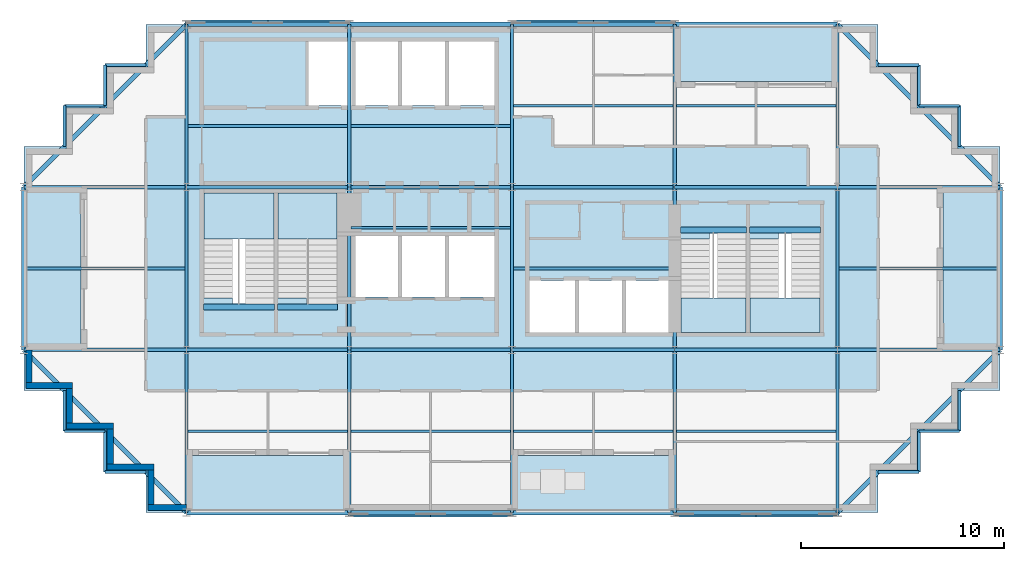
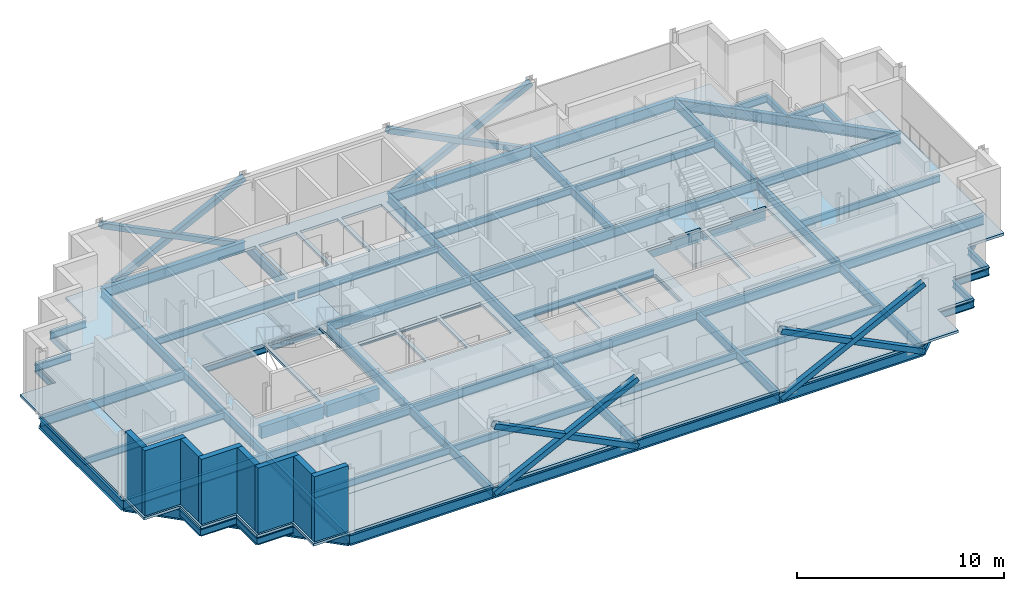
# One storey, part 3 of 10: 73 beams, 12 slabs, 8 members, 8 walls, 4 elements without a shape of their own.
"""IFC4 building model written with IfcOpenShell, lengths in metres."""

from ifc_helpers import new_model, si_unit, direction, frame, frame_2d, origin, origin_2d, place, context, subcontext, project, spatial, polyline, rectangle, hollow_rectangle, i_section, outline, extrude, material, layer, layer_set, material_profile, profile_set, type_object, element, aggregate, save


model = new_model("IFC4")

# Units and contexts
model_context = context("Model", 3, precision=1e-05, world=origin(), true_north=direction((0.0, 1.0)))
body_context = subcontext(model_context, "Body", "Model", "MODEL_VIEW")
ifc_project = project(units=[si_unit("LENGTHUNIT", "METRE"), si_unit("AREAUNIT", "SQUARE_METRE"), si_unit("VOLUMEUNIT", "CUBIC_METRE"), si_unit("PLANEANGLEUNIT", "RADIAN"), si_unit("MASSUNIT", "GRAM", prefix="KILO")], contexts=[model_context])

# Site, building, storey
site_placement = place(None, origin())
site = spatial("IfcSite", under=ifc_project, at=site_placement, CompositionType="ELEMENT")
building_placement = place(site_placement, origin())
building = spatial("IfcBuilding", under=site, at=building_placement, Name="Immortelle Media Tower", CompositionType="ELEMENT")
storey_placement = place(building_placement, frame((0.0, 0.0, 275.0)))
storey = spatial("IfcBuildingStorey", under=building, at=storey_placement, Name="L60", CompositionType="ELEMENT", Elevation=275.0)

# Members
ifc_material_1 = material(Name="Steel ASTM A500 Gr C", Category="steel")
ifc_material_profile_1 = material_profile(ifc_material_1, hollow_rectangle(XDim=0.304931640625, YDim=0.304931640625, WallThickness=0.009033203125, at=origin_2d()), Name="HSS12x12x3/8 brace")
ifc_profile_set_1 = profile_set([ifc_material_profile_1], Name="Steel ASTM A500 Gr C")
member_type = type_object("IfcMemberType", Name="HSS12x12x3/8 brace", PredefinedType="BRACE", material=ifc_profile_set_1)
for number, where, z_axis, x_axis, name in (
    (1, (16.0, -0.0625, -0.450927734375), (0.894427191, 0.0, 0.4472135955), (0.0, 1.0, 0.0), "Brace A/3-4 A"),
    (2, (16.0, -0.0625, 3.549072265625), (0.894427191, 0.0, -0.4472135955), (0.0, 1.0, 0.0), "Brace A/3-4 B"),
    (3, (32.0, -0.0625, -0.450927734375), (0.894427191, 0.0, 0.4472135955), (0.0, 1.0, 0.0), "Brace A/5-6 A"),
    (4, (32.0, -0.0625, 3.549072265625), (0.894427191, 0.0, -0.4472135955), (0.0, 1.0, 0.0), "Brace A/5-6 B"),
    (5, (32.0, 24.0625, -0.450927734375), (-0.894427191, 0.0, 0.4472135955), (0.0, -1.0, 0.0), "Brace D/4-5 A"),
    (6, (32.0, 24.0625, 3.549072265625), (-0.894427191, 0.0, -0.4472135955), (0.0, -1.0, 0.0), "Brace D/4-5 B"),
    (7, (16.0, 24.0625, -0.450927734375), (-0.894427191, 0.0, 0.4472135955), (0.0, -1.0, 0.0), "Brace D/2-3 A"),
    (8, (16.0, 24.0625, 3.549072265625), (-0.894427191, 0.0, -0.4472135955), (0.0, -1.0, 0.0), "Brace D/2-3 B"),
):
    element("IfcMember", number, at=place(storey_placement, frame(where, z_axis=z_axis, x_axis=x_axis)), inside=storey, type_object=member_type, Name=name, PredefinedType="BRACE", context=body_context, shape_type="SweptSolid", body=[
        extrude(hollow_rectangle(XDim=0.304931640625, YDim=0.304931640625, WallThickness=0.009033203125, at=origin_2d()), origin(), (0.0, 0.0, 1.0), 8.9443359375),
    ])

# Beams
ifc_material_2 = material(Name="Concrete C50/60", Category="concrete")
ifc_material_profile_2 = material_profile(ifc_material_2, rectangle(XDim=0.300048828125, YDim=0.699951171875, at=origin_2d()), Name="RC 300x700")
ifc_profile_set_2 = profile_set([ifc_material_profile_2], Name="Concrete C50/60")
beam_type_1 = type_object("IfcBeamType", Name="Stair trimmer beam 300 x 700", PredefinedType="BEAM", material=ifc_profile_set_2)
beam_1_placement = place(storey_placement, frame((8.830078125, 10.10498046875, -0.5), z_axis=(1.0, 0.0, 0.0), x_axis=(0.0, 1.0, 0.0)))
element("IfcBeam", 9, at=beam_1_placement, inside=storey, type_object=beam_type_1, Name="Stair trimmer beam SW1", PredefinedType="BEAM", context=body_context, shape_type="SweptSolid", body=[
    extrude(rectangle(XDim=0.300048828125, YDim=0.699951171875, at=origin_2d()), origin(), (0.0, 0.0, 1.0), 3.489990234375),
])
beam_2_placement = place(storey_placement, frame((12.47998046875, 10.10498046875, -0.5), z_axis=(1.0, 0.0, 0.0), x_axis=(0.0, 1.0, 0.0)))
element("IfcBeam", 10, at=beam_2_placement, inside=storey, type_object=beam_type_1, Name="Stair trimmer beam SW2", PredefinedType="BEAM", context=body_context, shape_type="SweptSolid", body=[
    extrude(rectangle(XDim=0.300048828125, YDim=0.699951171875, at=origin_2d()), origin(), (0.0, 0.0, 1.0), 2.93994140625),
])
beam_3_placement = place(storey_placement, frame((32.280029296875, 13.89501953125, -0.5), z_axis=(1.0, 0.0, 0.0), x_axis=(0.0, 1.0, 0.0)))
element("IfcBeam", 11, at=beam_3_placement, inside=storey, type_object=beam_type_1, Name="Stair trimmer beam SE1", PredefinedType="BEAM", context=body_context, shape_type="SweptSolid", body=[
    extrude(rectangle(XDim=0.300048828125, YDim=0.699951171875, at=origin_2d()), origin(), (0.0, 0.0, 1.0), 3.239990234375),
])
beam_4_placement = place(storey_placement, frame((35.679931640625, 13.89501953125, -0.5), z_axis=(1.0, 0.0, 0.0), x_axis=(0.0, 1.0, 0.0)))
element("IfcBeam", 12, at=beam_4_placement, inside=storey, type_object=beam_type_1, Name="Stair trimmer beam SE2", PredefinedType="BEAM", context=body_context, shape_type="SweptSolid", body=[
    extrude(rectangle(XDim=0.300048828125, YDim=0.699951171875, at=origin_2d()), origin(), (0.0, 0.0, 1.0), 3.489990234375),
])
ifc_material_3 = material(Name="Steel ASTM A992 Gr 50", Category="steel")
ifc_material_profile_3 = material_profile(ifc_material_3, i_section(OverallWidth=0.139892578125, OverallDepth=0.404052734375, WebThickness=0.007080078125, FlangeThickness=0.010986328125, at=origin_2d()), Name="W16x31")
ifc_profile_set_3 = profile_set([ifc_material_profile_3], Name="Steel ASTM A992 Gr 50")
beam_type_2 = type_object("IfcBeamType", Name="W16x31 secondary beam", PredefinedType="JOIST", material=ifc_profile_set_3)
for number, where, z_axis, x_axis, name in (
    (13, (8.08251953125, 4.0, -0.35205078125), (1.0, 0.0, 0.0), (0.0, 1.0, 0.0), "Beam A-B/2-3"),
    (14, (16.08251953125, 4.0, -0.35205078125), (1.0, 0.0, 0.0), (0.0, 1.0, 0.0), "Beam A-B/3-4"),
    (15, (24.08251953125, 4.0, -0.35205078125), (1.0, 0.0, 0.0), (0.0, 1.0, 0.0), "Beam A-B/4-5"),
    (16, (32.08251953125, 4.0, -0.35205078125), (1.0, 0.0, 0.0), (0.0, 1.0, 0.0), "Beam A-B/5-6"),
):
    element("IfcBeam", number, at=place(storey_placement, frame(where, z_axis=z_axis, x_axis=x_axis)), inside=storey, type_object=beam_type_2, Name=name, PredefinedType="JOIST", context=body_context, shape_type="SweptSolid", body=[
        extrude(i_section(OverallWidth=0.139892578125, OverallDepth=0.404052734375, WebThickness=0.007080078125, FlangeThickness=0.010986328125, at=origin_2d()), origin(), (0.0, 0.0, 1.0), 7.8349609375),
    ])
beam_5_placement = place(storey_placement, frame((0.114013671875, 12.0, -0.35205078125), z_axis=(1.0, 0.0, 0.0), x_axis=(0.0, 1.0, 0.0)))
element("IfcBeam", 17, at=beam_5_placement, inside=storey, type_object=beam_type_2, Name="Beam B-C/1-2", PredefinedType="JOIST", context=body_context, shape_type="SweptSolid", body=[
    extrude(i_section(OverallWidth=0.139892578125, OverallDepth=0.404052734375, WebThickness=0.007080078125, FlangeThickness=0.010986328125, at=origin_2d()), origin(), (0.0, 0.0, 1.0), 7.803466796875),
])
for number, where, z_axis, x_axis, name in (
    (18, (16.08251953125, 14.0, -0.35205078125), (1.0, 0.0, 0.0), (0.0, 1.0, 0.0), "Beam B-C/3-4"),
    (19, (24.08251953125, 12.0, -0.35205078125), (1.0, 0.0, 0.0), (0.0, 1.0, 0.0), "Beam B-C/4-5"),
):
    element("IfcBeam", number, at=place(storey_placement, frame(where, z_axis=z_axis, x_axis=x_axis)), inside=storey, type_object=beam_type_2, Name=name, PredefinedType="JOIST", context=body_context, shape_type="SweptSolid", body=[
        extrude(i_section(OverallWidth=0.139892578125, OverallDepth=0.404052734375, WebThickness=0.007080078125, FlangeThickness=0.010986328125, at=origin_2d()), origin(), (0.0, 0.0, 1.0), 7.8349609375),
    ])
beam_6_placement = place(storey_placement, frame((40.08251953125, 12.0, -0.35205078125), z_axis=(1.0, 0.0, 0.0), x_axis=(0.0, 1.0, 0.0)))
element("IfcBeam", 20, at=beam_6_placement, inside=storey, type_object=beam_type_2, Name="Beam B-C/6-7", PredefinedType="JOIST", context=body_context, shape_type="SweptSolid", body=[
    extrude(i_section(OverallWidth=0.139892578125, OverallDepth=0.404052734375, WebThickness=0.007080078125, FlangeThickness=0.010986328125, at=origin_2d()), origin(), (0.0, 0.0, 1.0), 7.803466796875),
])
for number, where, z_axis, x_axis, name in (
    (21, (8.08251953125, 19.0, -0.35205078125), (1.0, 0.0, 0.0), (0.0, 1.0, 0.0), "Beam C-D/2-3"),
    (22, (16.08251953125, 19.0, -0.35205078125), (1.0, 0.0, 0.0), (0.0, 1.0, 0.0), "Beam C-D/3-4"),
    (23, (24.08251953125, 20.0, -0.35205078125), (1.0, 0.0, 0.0), (0.0, 1.0, 0.0), "Beam C-D/4-5"),
    (24, (32.08251953125, 20.0, -0.35205078125), (1.0, 0.0, 0.0), (0.0, 1.0, 0.0), "Beam C-D/5-6"),
):
    element("IfcBeam", number, at=place(storey_placement, frame(where, z_axis=z_axis, x_axis=x_axis)), inside=storey, type_object=beam_type_2, Name=name, PredefinedType="JOIST", context=body_context, shape_type="SweptSolid", body=[
        extrude(i_section(OverallWidth=0.139892578125, OverallDepth=0.404052734375, WebThickness=0.007080078125, FlangeThickness=0.010986328125, at=origin_2d()), origin(), (0.0, 0.0, 1.0), 7.8349609375),
    ])
ifc_material_profile_4 = material_profile(ifc_material_3, i_section(OverallWidth=0.139892578125, OverallDepth=0.404052734375, WebThickness=0.007080078125, FlangeThickness=0.010986328125, at=origin_2d()), Name="W16x31")
ifc_profile_set_4 = profile_set([ifc_material_profile_4], Name="Steel ASTM A992 Gr 50")
beam_type_3 = type_object("IfcBeamType", Name="W16x31 serration edge beam", PredefinedType="SPANDREL", material=ifc_profile_set_4)
for number, where, z_axis, x_axis, name in (
    (25, (6.0, 2.0, -0.35205078125), (-1.0, 0.0, 0.0), (0.0, -1.0, 0.0), "Corner edge beam 1 at 1/A"),
    (26, (4.0, 2.0, -0.35205078125), (0.0, 1.0, 0.0), (-1.0, 0.0, 0.0), "Corner edge beam 2 at 1/A"),
    (27, (4.0, 4.0, -0.35205078125), (-1.0, 0.0, 0.0), (0.0, -1.0, 0.0), "Corner edge beam 3 at 1/A"),
    (28, (2.0, 4.0, -0.35205078125), (0.0, 1.0, 0.0), (-1.0, 0.0, 0.0), "Corner edge beam 4 at 1/A"),
    (29, (2.0, 18.0, -0.35205078125), (0.0, 1.0, 0.0), (-1.0, 0.0, 0.0), "Corner edge beam 1 at 1/D"),
    (30, (2.0, 20.0, -0.35205078125), (1.0, 0.0, 0.0), (0.0, 1.0, 0.0), "Corner edge beam 2 at 1/D"),
    (31, (4.0, 20.0, -0.35205078125), (0.0, 1.0, 0.0), (-1.0, 0.0, 0.0), "Corner edge beam 3 at 1/D"),
    (32, (4.0, 22.0, -0.35205078125), (1.0, 0.0, 0.0), (0.0, 1.0, 0.0), "Corner edge beam 4 at 1/D"),
    (33, (46.0, 6.0, -0.35205078125), (0.0, -1.0, 0.0), (1.0, 0.0, 0.0), "Corner edge beam 1 at 7/A"),
    (34, (46.0, 4.0, -0.35205078125), (-1.0, 0.0, 0.0), (0.0, -1.0, 0.0), "Corner edge beam 2 at 7/A"),
    (35, (44.0, 4.0, -0.35205078125), (0.0, -1.0, 0.0), (1.0, 0.0, 0.0), "Corner edge beam 3 at 7/A"),
    (36, (44.0, 2.0, -0.35205078125), (-1.0, 0.0, 0.0), (0.0, -1.0, 0.0), "Corner edge beam 4 at 7/A"),
    (37, (42.0, 22.0, -0.35205078125), (1.0, 0.0, 0.0), (0.0, 1.0, 0.0), "Corner edge beam 1 at 7/D"),
    (38, (44.0, 22.0, -0.35205078125), (0.0, -1.0, 0.0), (1.0, 0.0, 0.0), "Corner edge beam 2 at 7/D"),
    (39, (44.0, 20.0, -0.35205078125), (1.0, 0.0, 0.0), (0.0, 1.0, 0.0), "Corner edge beam 3 at 7/D"),
    (40, (46.0, 20.0, -0.35205078125), (0.0, -1.0, 0.0), (1.0, 0.0, 0.0), "Corner edge beam 4 at 7/D"),
):
    element("IfcBeam", number, at=place(storey_placement, frame(where, z_axis=z_axis, x_axis=x_axis)), inside=storey, type_object=beam_type_3, Name=name, PredefinedType="SPANDREL", context=body_context, shape_type="SweptSolid", body=[
        extrude(i_section(OverallWidth=0.139892578125, OverallDepth=0.404052734375, WebThickness=0.007080078125, FlangeThickness=0.010986328125, at=origin_2d()), origin(), (0.0, 0.0, 1.0), 2.0),
    ])
ifc_material_profile_5 = material_profile(ifc_material_3, i_section(OverallWidth=0.1650390625, OverallDepth=0.52587890625, WebThickness=0.009033203125, FlangeThickness=0.010986328125, at=origin_2d()), Name="W21x44")
ifc_profile_set_5 = profile_set([ifc_material_profile_5], Name="Steel ASTM A992 Gr 50")
beam_type_4 = type_object("IfcBeamType", Name="W21x44 girder", PredefinedType="BEAM", material=ifc_profile_set_5)
for number, where, z_axis, x_axis, name in (
    (41, (0.0, 8.0, -0.4130859375), (1.0, 0.0, 0.0), (0.0, 1.0, 0.0), "Girder B/1-2"),
    (42, (0.0, 16.0, -0.4130859375), (1.0, 0.0, 0.0), (0.0, 1.0, 0.0), "Girder C/1-2"),
    (43, (8.0, 0.0, -0.4130859375), (0.0, 1.0, 0.0), (-1.0, 0.0, 0.0), "Girder 2/A-B"),
    (44, (8.0, 8.0, -0.4130859375), (1.0, 0.0, 0.0), (0.0, 1.0, 0.0), "Girder B/2-3"),
    (45, (8.0, 8.0, -0.4130859375), (0.0, 1.0, 0.0), (-1.0, 0.0, 0.0), "Girder 2/B-C"),
    (46, (8.0, 16.0, -0.4130859375), (1.0, 0.0, 0.0), (0.0, 1.0, 0.0), "Girder C/2-3"),
    (47, (8.0, 16.0, -0.4130859375), (0.0, 1.0, 0.0), (-1.0, 0.0, 0.0), "Girder 2/C-D"),
    (48, (16.0, 0.0, -0.4130859375), (0.0, 1.0, 0.0), (-1.0, 0.0, 0.0), "Girder 3/A-B"),
    (49, (16.0, 8.0, -0.4130859375), (1.0, 0.0, 0.0), (0.0, 1.0, 0.0), "Girder B/3-4"),
    (50, (16.0, 8.0, -0.4130859375), (0.0, 1.0, 0.0), (-1.0, 0.0, 0.0), "Girder 3/B-C"),
    (51, (16.0, 16.0, -0.4130859375), (1.0, 0.0, 0.0), (0.0, 1.0, 0.0), "Girder C/3-4"),
    (52, (16.0, 16.0, -0.4130859375), (0.0, 1.0, 0.0), (-1.0, 0.0, 0.0), "Girder 3/C-D"),
    (53, (24.0, 0.0, -0.4130859375), (0.0, 1.0, 0.0), (-1.0, 0.0, 0.0), "Girder 4/A-B"),
    (54, (24.0, 8.0, -0.4130859375), (1.0, 0.0, 0.0), (0.0, 1.0, 0.0), "Girder B/4-5"),
    (55, (24.0, 8.0, -0.4130859375), (0.0, 1.0, 0.0), (-1.0, 0.0, 0.0), "Girder 4/B-C"),
    (56, (24.0, 16.0, -0.4130859375), (1.0, 0.0, 0.0), (0.0, 1.0, 0.0), "Girder C/4-5"),
    (57, (24.0, 16.0, -0.4130859375), (0.0, 1.0, 0.0), (-1.0, 0.0, 0.0), "Girder 4/C-D"),
    (58, (32.0, 0.0, -0.4130859375), (0.0, 1.0, 0.0), (-1.0, 0.0, 0.0), "Girder 5/A-B"),
    (59, (32.0, 8.0, -0.4130859375), (1.0, 0.0, 0.0), (0.0, 1.0, 0.0), "Girder B/5-6"),
    (60, (32.0, 8.0, -0.4130859375), (0.0, 1.0, 0.0), (-1.0, 0.0, 0.0), "Girder 5/B-C"),
    (61, (32.0, 16.0, -0.4130859375), (1.0, 0.0, 0.0), (0.0, 1.0, 0.0), "Girder C/5-6"),
    (62, (32.0, 16.0, -0.4130859375), (0.0, 1.0, 0.0), (-1.0, 0.0, 0.0), "Girder 5/C-D"),
    (63, (40.0, 0.0, -0.4130859375), (0.0, 1.0, 0.0), (-1.0, 0.0, 0.0), "Girder 6/A-B"),
    (64, (40.0, 8.0, -0.4130859375), (1.0, 0.0, 0.0), (0.0, 1.0, 0.0), "Girder B/6-7"),
    (65, (40.0, 8.0, -0.4130859375), (0.0, 1.0, 0.0), (-1.0, 0.0, 0.0), "Girder 6/B-C"),
    (66, (40.0, 16.0, -0.4130859375), (1.0, 0.0, 0.0), (0.0, 1.0, 0.0), "Girder C/6-7"),
    (67, (40.0, 16.0, -0.4130859375), (0.0, 1.0, 0.0), (-1.0, 0.0, 0.0), "Girder 6/C-D"),
):
    element("IfcBeam", number, at=place(storey_placement, frame(where, z_axis=z_axis, x_axis=x_axis)), inside=storey, type_object=beam_type_4, Name=name, PredefinedType="BEAM", context=body_context, shape_type="SweptSolid", body=[
        extrude(i_section(OverallWidth=0.1650390625, OverallDepth=0.52587890625, WebThickness=0.009033203125, FlangeThickness=0.010986328125, at=origin_2d()), origin(), (0.0, 0.0, 1.0), 8.0),
    ])
ifc_material_profile_6 = material_profile(ifc_material_3, i_section(OverallWidth=0.22802734375, OverallDepth=0.60205078125, WebThickness=0.010986328125, FlangeThickness=0.014892578125, at=origin_2d()), Name="W24x68")
ifc_profile_set_6 = profile_set([ifc_material_profile_6], Name="Steel ASTM A992 Gr 50")
beam_type_5 = type_object("IfcBeamType", Name="W24x68 perimeter girder", PredefinedType="SPANDREL", material=ifc_profile_set_6)
for number, where, z_axis, x_axis, name in (
    (68, (0.0, 8.0, -0.450927734375), (0.0, 1.0, 0.0), (-1.0, 0.0, 0.0), "Girder 1/B-C"),
    (69, (8.0, 0.0, -0.450927734375), (1.0, 0.0, 0.0), (0.0, 1.0, 0.0), "Girder A/2-3"),
    (70, (8.0, 24.0, -0.450927734375), (1.0, 0.0, 0.0), (0.0, 1.0, 0.0), "Girder D/2-3"),
    (71, (16.0, 0.0, -0.450927734375), (1.0, 0.0, 0.0), (0.0, 1.0, 0.0), "Girder A/3-4"),
    (72, (16.0, 24.0, -0.450927734375), (1.0, 0.0, 0.0), (0.0, 1.0, 0.0), "Girder D/3-4"),
    (73, (24.0, 0.0, -0.450927734375), (1.0, 0.0, 0.0), (0.0, 1.0, 0.0), "Girder A/4-5"),
    (74, (24.0, 24.0, -0.450927734375), (1.0, 0.0, 0.0), (0.0, 1.0, 0.0), "Girder D/4-5"),
    (75, (32.0, 0.0, -0.450927734375), (1.0, 0.0, 0.0), (0.0, 1.0, 0.0), "Girder A/5-6"),
    (76, (32.0, 24.0, -0.450927734375), (1.0, 0.0, 0.0), (0.0, 1.0, 0.0), "Girder D/5-6"),
    (77, (48.0, 8.0, -0.450927734375), (0.0, 1.0, 0.0), (-1.0, 0.0, 0.0), "Girder 7/B-C"),
):
    element("IfcBeam", number, at=place(storey_placement, frame(where, z_axis=z_axis, x_axis=x_axis)), inside=storey, type_object=beam_type_5, Name=name, PredefinedType="SPANDREL", context=body_context, shape_type="SweptSolid", body=[
        extrude(i_section(OverallWidth=0.22802734375, OverallDepth=0.60205078125, WebThickness=0.010986328125, FlangeThickness=0.014892578125, at=origin_2d()), origin(), (0.0, 0.0, 1.0), 8.0),
    ])
ifc_material_profile_7 = material_profile(ifc_material_3, i_section(OverallWidth=0.22900390625, OverallDepth=0.612060546875, WebThickness=0.011962890625, FlangeThickness=0.02001953125, at=origin_2d()), Name="W24x84")
ifc_profile_set_7 = profile_set([ifc_material_profile_7], Name="Steel ASTM A992 Gr 50")
beam_type_6 = type_object("IfcBeamType", Name="W24x84 corner girder", PredefinedType="SPANDREL", material=ifc_profile_set_7)
for number, where, z_axis, x_axis, name in (
    (78, (8.0, 0.0, -0.4560546875), (-0.707106781187, 0.707106781187, 0.0), (-0.707106781187, -0.707106781187, 0.0), "Corner girder at 1/A"),
    (79, (0.0, 16.0, -0.4560546875), (0.707106781187, 0.707106781187, 0.0), (-0.707106781187, 0.707106781187, 0.0), "Corner girder at 1/D"),
    (80, (48.0, 8.0, -0.4560546875), (-0.707106781187, -0.707106781187, 0.0), (0.707106781187, -0.707106781187, 0.0), "Corner girder at 7/A"),
    (81, (40.0, 24.0, -0.4560546875), (0.707106781187, -0.707106781187, 0.0), (0.707106781187, 0.707106781187, 0.0), "Corner girder at 7/D"),
):
    element("IfcBeam", number, at=place(storey_placement, frame(where, z_axis=z_axis, x_axis=x_axis)), inside=storey, type_object=beam_type_6, Name=name, PredefinedType="SPANDREL", context=body_context, shape_type="SweptSolid", body=[
        extrude(i_section(OverallWidth=0.22900390625, OverallDepth=0.612060546875, WebThickness=0.011962890625, FlangeThickness=0.02001953125, at=origin_2d()), origin(), (0.0, 0.0, 1.0), 11.313720703125),
    ])

# Slabs
ifc_material_4 = material(Name="Concrete C50/60 composite deck", Category="concrete")
ifc_layer_1 = layer(ifc_material_4, 0.14990234375)
ifc_layer_set_1 = layer_set([ifc_layer_1], Name="Concrete C50/60 composite deck")
slab_type_1 = type_object("IfcSlabType", Name="Balcony slab 150", PredefinedType="FLOOR", material=ifc_layer_set_1)
slab_1_placement = place(storey_placement, frame((0.0, 0.0, -0.14990234375)))
element("IfcSlab", 82, at=slab_1_placement, inside=storey, type_object=slab_type_1, Name="Balcony slab L60 S0", PredefinedType="FLOOR", context=body_context, shape_type="SweptSolid", body=[
    extrude(outline(polyline([(16.0, 0.0), (16.0, 2.800048828125), (8.0, 2.800048828125), (8.0, 0.0), (16.0, 0.0)])), origin(), (0.0, 0.0, 1.0), 0.14990234375),
])
slab_2_placement = place(storey_placement, frame((0.0, 0.0, -0.14990234375)))
element("IfcSlab", 83, at=slab_2_placement, inside=storey, type_object=slab_type_1, Name="Balcony slab L60 S2", PredefinedType="FLOOR", context=body_context, shape_type="SweptSolid", body=[
    extrude(outline(polyline([(32.0, 0.0), (32.0, 2.800048828125), (24.0, 2.800048828125), (24.0, 0.0), (32.0, 0.0)])), origin(), (0.0, 0.0, 1.0), 0.14990234375),
])
slab_3_placement = place(storey_placement, frame((0.0, 0.0, -0.14990234375)))
element("IfcSlab", 84, at=slab_3_placement, inside=storey, type_object=slab_type_1, Name="Balcony slab L60 E0", PredefinedType="FLOOR", context=body_context, shape_type="SweptSolid", body=[
    extrude(outline(polyline([(48.0, 8.0), (48.0, 16.0), (45.199951171875, 16.0), (45.199951171875, 8.0), (48.0, 8.0)])), origin(), (0.0, 0.0, 1.0), 0.14990234375),
])
slab_4_placement = place(storey_placement, frame((0.0, 0.0, -0.14990234375)))
element("IfcSlab", 85, at=slab_4_placement, inside=storey, type_object=slab_type_1, Name="Balcony slab L60 N0", PredefinedType="FLOOR", context=body_context, shape_type="SweptSolid", body=[
    extrude(outline(polyline([(40.0, 21.199951171875), (40.0, 24.0), (32.0, 24.0), (32.0, 21.199951171875), (40.0, 21.199951171875)])), origin(), (0.0, 0.0, 1.0), 0.14990234375),
])
slab_5_placement = place(storey_placement, frame((0.0, 0.0, -0.14990234375)))
element("IfcSlab", 86, at=slab_5_placement, inside=storey, type_object=slab_type_1, Name="Balcony slab L60 W0", PredefinedType="FLOOR", context=body_context, shape_type="SweptSolid", body=[
    extrude(outline(polyline([(2.800048828125, 8.0), (2.800048828125, 16.0), (0.0, 16.0), (0.0, 8.0), (2.800048828125, 8.0)])), origin(), (0.0, 0.0, 1.0), 0.14990234375),
])
ifc_layer_2 = layer(ifc_material_2, 0.14990234375)
ifc_layer_set_2 = layer_set([ifc_layer_2], Name="Concrete C50/60")
slab_type_2 = type_object("IfcSlabType", Name="Composite floor slab 150", PredefinedType="FLOOR", material=ifc_layer_set_2)
slab_6_placement = place(storey_placement, frame((0.0, 0.0, -0.14990234375)))
element("IfcSlab", 87, at=slab_6_placement, inside=storey, type_object=slab_type_2, Name="Floor slab L60", PredefinedType="FLOOR", context=body_context, shape_type="SweptSolid", body=[
    extrude(outline(polyline([(6.0, 0.0), (6.0, 2.0), (4.0, 2.0), (4.0, 4.0), (2.0, 4.0), (2.0, 6.0), (0.0, 6.0), (0.0, 8.0), (2.800048828125, 8.0), (2.800048828125, 16.0), (0.0, 16.0), (0.0, 18.0), (2.0, 18.0), (2.0, 20.0), (4.0, 20.0), (4.0, 22.0), (6.0, 22.0), (6.0, 24.0), (8.0, 24.0), (8.0, 8.0), (24.0, 8.0), (40.0, 8.0), (40.0, 16.0), (24.0, 16.0), (24.0, 21.199951171875), (24.0, 24.0), (32.0, 24.0), (32.0, 21.199951171875), (40.0, 21.199951171875), (40.0, 24.0), (42.0, 24.0), (42.0, 22.0), (44.0, 22.0), (44.0, 20.0), (46.0, 20.0), (46.0, 18.0), (48.0, 18.0), (48.0, 16.0), (45.199951171875, 16.0), (45.199951171875, 8.0), (48.0, 8.0), (48.0, 6.0), (46.0, 6.0), (46.0, 4.0), (44.0, 4.0), (44.0, 2.0), (42.0, 2.0), (42.0, 0.0), (32.0, 0.0), (32.0, 2.800048828125), (24.0, 2.800048828125), (24.0, 0.0), (16.0, 0.0), (16.0, 2.800048828125), (8.0, 2.800048828125), (8.0, 0.0), (6.0, 0.0)])), origin(), (0.0, 0.0, 1.0), 0.14990234375),
])
ifc_layer_3 = layer(ifc_material_2, 0.14990234375)
ifc_layer_set_3 = layer_set([ifc_layer_3], Name="Concrete C50/60")
slab_type_3 = type_object("IfcSlabType", Name="Core floor slab 150", PredefinedType="FLOOR", material=ifc_layer_set_3)
slab_7_placement = place(storey_placement, frame((0.0, 0.0, -0.14990234375)))
element("IfcSlab", 88, at=slab_7_placement, inside=storey, type_object=slab_type_3, Name="Core floor SW", PredefinedType="FLOOR", context=body_context, shape_type="SweptSolid", body=[
    extrude(outline(polyline([(8.0, 8.0), (24.0, 8.0), (24.0, 24.0), (8.0, 24.0), (8.0, 8.0)]), holes=[polyline([(14.0, 20.0), (16.10009765625, 20.0), (16.10009765625, 23.14990234375), (14.0, 23.14990234375), (14.0, 20.0)]), polyline([(16.300048828125, 20.0), (18.39990234375, 20.0), (18.39990234375, 23.14990234375), (16.300048828125, 23.14990234375), (16.300048828125, 20.0)]), polyline([(18.60009765625, 20.0), (20.699951171875, 20.0), (20.699951171875, 23.14990234375), (18.60009765625, 23.14990234375), (18.60009765625, 20.0)]), polyline([(20.89990234375, 20.0), (23.14990234375, 20.0), (23.14990234375, 23.14990234375), (20.89990234375, 23.14990234375), (20.89990234375, 20.0)]), polyline([(16.300048828125, 10.60009765625), (18.39990234375, 10.60009765625), (18.39990234375, 13.60009765625), (16.300048828125, 13.60009765625), (16.300048828125, 10.60009765625)]), polyline([(18.60009765625, 10.60009765625), (20.699951171875, 10.60009765625), (20.699951171875, 13.60009765625), (18.60009765625, 13.60009765625), (18.60009765625, 10.60009765625)]), polyline([(20.89990234375, 10.60009765625), (23.14990234375, 10.60009765625), (23.14990234375, 13.60009765625), (20.89990234375, 13.60009765625), (20.89990234375, 10.60009765625)]), polyline([(8.85009765625, 15.699951171875), (12.300048828125, 15.699951171875), (12.300048828125, 10.27001953125), (10.25, 10.27001953125), (10.25, 10.56005859375), (8.85009765625, 10.56005859375), (8.85009765625, 15.699951171875)]), polyline([(12.5, 15.699951171875), (15.39990234375, 15.699951171875), (15.39990234375, 10.27001953125), (13.89990234375, 10.27001953125), (13.89990234375, 10.56005859375), (12.5, 10.56005859375), (12.5, 15.699951171875)])]), origin(), (0.0, 0.0, 1.0), 0.14990234375),
])
slab_8_placement = place(storey_placement, frame((0.0, 0.0, -0.14990234375)))
element("IfcSlab", 89, at=slab_8_placement, inside=storey, type_object=slab_type_3, Name="Core floor SE", PredefinedType="FLOOR", context=body_context, shape_type="SweptSolid", body=[
    extrude(outline(polyline([(24.0, 8.0), (40.0, 8.0), (40.0, 16.0), (24.0, 16.0), (24.0, 8.0)]), holes=[polyline([(24.85009765625, 8.85009765625), (27.10009765625, 8.85009765625), (27.10009765625, 11.39990234375), (24.85009765625, 11.39990234375), (24.85009765625, 8.85009765625)]), polyline([(27.300048828125, 8.85009765625), (29.39990234375, 8.85009765625), (29.39990234375, 11.39990234375), (27.300048828125, 11.39990234375), (27.300048828125, 8.85009765625)]), polyline([(29.60009765625, 8.85009765625), (31.699951171875, 8.85009765625), (31.699951171875, 11.39990234375), (29.60009765625, 11.39990234375), (29.60009765625, 8.85009765625)]), polyline([(35.5, 13.72998046875), (35.5, 8.85009765625), (32.300048828125, 8.85009765625), (32.300048828125, 13.43994140625), (33.699951171875, 13.43994140625), (33.699951171875, 13.72998046875), (35.5, 13.72998046875)]), polyline([(39.14990234375, 13.72998046875), (39.14990234375, 8.85009765625), (35.699951171875, 8.85009765625), (35.699951171875, 13.43994140625), (37.10009765625, 13.43994140625), (37.10009765625, 13.72998046875), (39.14990234375, 13.72998046875)])]), origin(), (0.0, 0.0, 1.0), 0.14990234375),
])

# Stair, slab
stair_type = type_object("IfcStairType", Name="Stair with flights", PredefinedType="DOUBLE_RETURN_STAIR", material=ifc_material_3)
stair_1_placement = place(storey_placement, origin())
stair_1 = element("IfcStair", 90, at=stair_1_placement, inside=storey, type_object=stair_type, Name="Exit stair SW1", PredefinedType="DOUBLE_RETURN_STAIR")
ifc_material_5 = material(Name="Steel ASTM A572 Gr 50", Category="steel")
ifc_layer_4 = layer(ifc_material_5, 0.199951171875)
ifc_layer_set_4 = layer_set([ifc_layer_4], Name="Steel ASTM A572 Gr 50")
slab_type_4 = type_object("IfcSlabType", Name="Stair landing 200", PredefinedType="LANDING", material=ifc_layer_set_4)
slab_9_placement = place(storey_placement, frame((0.0, 0.0, 1.713134765625)))
slab_9 = element("IfcSlab", 91, at=slab_9_placement, type_object=slab_type_4, Name="ST SW1 landing 1", PredefinedType="LANDING", context=body_context, shape_type="SweptSolid", body=[
    extrude(outline(polyline([(8.85009765625, 13.43994140625), (12.300048828125, 13.43994140625), (12.300048828125, 15.699951171875), (8.85009765625, 15.699951171875), (8.85009765625, 13.43994140625)])), origin(), (0.0, 0.0, 1.0), 0.199951171875),
])
aggregate(stair_1, [slab_9])

stair_2_placement = place(storey_placement, origin())
stair_2 = element("IfcStair", 92, at=stair_2_placement, inside=storey, type_object=stair_type, Name="Exit stair SW2", PredefinedType="DOUBLE_RETURN_STAIR")
slab_10_placement = place(storey_placement, frame((0.0, 0.0, 1.713134765625)))
slab_10 = element("IfcSlab", 93, at=slab_10_placement, type_object=slab_type_4, Name="ST SW2 landing 1", PredefinedType="LANDING", context=body_context, shape_type="SweptSolid", body=[
    extrude(outline(polyline([(12.5, 13.43994140625), (15.39990234375, 13.43994140625), (15.39990234375, 15.699951171875), (12.5, 15.699951171875), (12.5, 13.43994140625)])), origin(), (0.0, 0.0, 1.0), 0.199951171875),
])
aggregate(stair_2, [slab_10])

stair_3_placement = place(storey_placement, origin())
stair_3 = element("IfcStair", 94, at=stair_3_placement, inside=storey, type_object=stair_type, Name="Exit stair SE1", PredefinedType="DOUBLE_RETURN_STAIR")
slab_11_placement = place(storey_placement, frame((0.0, 0.0, 1.713134765625)))
slab_11 = element("IfcSlab", 95, at=slab_11_placement, type_object=slab_type_4, Name="ST SE1 landing 1", PredefinedType="LANDING", context=body_context, shape_type="SweptSolid", body=[
    extrude(outline(polyline([(32.300048828125, 8.85009765625), (35.5, 8.85009765625), (35.5, 10.56005859375), (32.300048828125, 10.56005859375), (32.300048828125, 8.85009765625)])), origin(), (0.0, 0.0, 1.0), 0.199951171875),
])
aggregate(stair_3, [slab_11])

stair_4_placement = place(storey_placement, origin())
stair_4 = element("IfcStair", 96, at=stair_4_placement, inside=storey, type_object=stair_type, Name="Exit stair SE2", PredefinedType="DOUBLE_RETURN_STAIR")
slab_12_placement = place(storey_placement, frame((0.0, 0.0, 1.713134765625)))
slab_12 = element("IfcSlab", 97, at=slab_12_placement, type_object=slab_type_4, Name="ST SE2 landing 1", PredefinedType="LANDING", context=body_context, shape_type="SweptSolid", body=[
    extrude(outline(polyline([(35.699951171875, 8.85009765625), (39.14990234375, 8.85009765625), (39.14990234375, 10.56005859375), (35.699951171875, 10.56005859375), (35.699951171875, 8.85009765625)])), origin(), (0.0, 0.0, 1.0), 0.199951171875),
])
aggregate(stair_4, [slab_12])

# Walls
ifc_material_6 = material(Name="Pale aluminium cladding panel", Category="aluminium")
ifc_layer_5 = layer(ifc_material_6, 0.030029296875)
ifc_material_7 = material(Name="Steel ASTM A653 SS Gr 50 stud frame with mineral wool", Category="steel")
ifc_layer_6 = layer(ifc_material_7, 0.257568359375)
ifc_material_8 = material(Name="Moisture-resistant gypsum board", Category="gypsum")
ifc_layer_7 = layer(ifc_material_8, 0.012451171875)
ifc_layer_set_5 = layer_set([ifc_layer_5, ifc_layer_6, ifc_layer_7], Name="Steel ASTM A653 SS Gr 50 stud frame with mineral wool")
wall_type = type_object("IfcWallType", Name="Facade wall 300", PredefinedType="SOLIDWALL", material=ifc_layer_set_5)
wall_1_placement = place(storey_placement, frame((0.10009765625, 6.25, 0.0), z_axis=(0.0, 0.0, 1.0), x_axis=(1.0, 0.0, 0.0)))
element("IfcWall", 98, at=wall_1_placement, inside=storey, type_object=wall_type, Name="Facade wall L60 S0", PredefinedType="SOLIDWALL", context=body_context, shape_type="SweptSolid", body=[
    extrude(rectangle(XDim=2.2998046875, YDim=0.300048828125, at=frame_2d((1.14990234375, 0.0))), origin(), (0.0, 0.0, 1.0), 3.85009765625),
])
wall_2_placement = place(storey_placement, frame((2.25, 6.10009765625, 0.0), z_axis=(0.0, 0.0, 1.0), x_axis=(0.0, -1.0, 0.0)))
element("IfcWall", 99, at=wall_2_placement, inside=storey, type_object=wall_type, Name="Facade wall L60 W1", PredefinedType="SOLIDWALL", context=body_context, shape_type="SweptSolid", body=[
    extrude(rectangle(XDim=1.7001953125, YDim=0.300048828125, at=frame_2d((0.85009765625, 0.0))), origin(), (0.0, 0.0, 1.0), 3.85009765625),
])
wall_3_placement = place(storey_placement, frame((2.10009765625, 4.25, 0.0), z_axis=(0.0, 0.0, 1.0), x_axis=(1.0, 0.0, 0.0)))
element("IfcWall", 100, at=wall_3_placement, inside=storey, type_object=wall_type, Name="Facade wall L60 S2", PredefinedType="SOLIDWALL", context=body_context, shape_type="SweptSolid", body=[
    extrude(rectangle(XDim=2.2998046875, YDim=0.300048828125, at=frame_2d((1.14990234375, 0.0))), origin(), (0.0, 0.0, 1.0), 3.85009765625),
])
wall_4_placement = place(storey_placement, frame((4.25, 4.10009765625, 0.0), z_axis=(0.0, 0.0, 1.0), x_axis=(0.0, -1.0, 0.0)))
element("IfcWall", 101, at=wall_4_placement, inside=storey, type_object=wall_type, Name="Facade wall L60 W3", PredefinedType="SOLIDWALL", context=body_context, shape_type="SweptSolid", body=[
    extrude(rectangle(XDim=1.7001953125, YDim=0.300048828125, at=frame_2d((0.85009765625, 0.0))), origin(), (0.0, 0.0, 1.0), 3.85009765625),
])
wall_5_placement = place(storey_placement, frame((4.10009765625, 2.25, 0.0), z_axis=(0.0, 0.0, 1.0), x_axis=(1.0, 0.0, 0.0)))
element("IfcWall", 102, at=wall_5_placement, inside=storey, type_object=wall_type, Name="Facade wall L60 S4", PredefinedType="SOLIDWALL", context=body_context, shape_type="SweptSolid", body=[
    extrude(rectangle(XDim=2.2998046875, YDim=0.300048828125, at=frame_2d((1.14990234375, 0.0))), origin(), (0.0, 0.0, 1.0), 3.85009765625),
])
wall_6_placement = place(storey_placement, frame((6.25, 2.10009765625, 0.0), z_axis=(0.0, 0.0, 1.0), x_axis=(0.0, -1.0, 0.0)))
element("IfcWall", 103, at=wall_6_placement, inside=storey, type_object=wall_type, Name="Facade wall L60 W5", PredefinedType="SOLIDWALL", context=body_context, shape_type="SweptSolid", body=[
    extrude(rectangle(XDim=1.7001953125, YDim=0.300048828125, at=frame_2d((0.85009765625, 0.0))), origin(), (0.0, 0.0, 1.0), 3.85009765625),
])
wall_7_placement = place(storey_placement, frame((6.10009765625, 0.25, 0.0), z_axis=(0.0, 0.0, 1.0), x_axis=(1.0, 0.0, 0.0)))
element("IfcWall", 104, at=wall_7_placement, inside=storey, type_object=wall_type, Name="Facade wall L60 S6", PredefinedType="SOLIDWALL", context=body_context, shape_type="SweptSolid", body=[
    extrude(rectangle(XDim=1.89990234375, YDim=0.300048828125, at=frame_2d((0.949951171875, 0.0))), origin(), (0.0, 0.0, 1.0), 3.85009765625),
])
wall_8_placement = place(storey_placement, frame((0.25, 8.0, 0.0), z_axis=(0.0, 0.0, 1.0), x_axis=(0.0, -1.0, 0.0)))
element("IfcWall", 105, at=wall_8_placement, inside=storey, type_object=wall_type, Name="Facade wall L60 W27", PredefinedType="SOLIDWALL", context=body_context, shape_type="SweptSolid", body=[
    extrude(rectangle(XDim=1.60009765625, YDim=0.300048828125, at=frame_2d((0.800048828125, 0.0))), origin(), (0.0, 0.0, 1.0), 3.85009765625),
])

save(model, "model.ifc")
